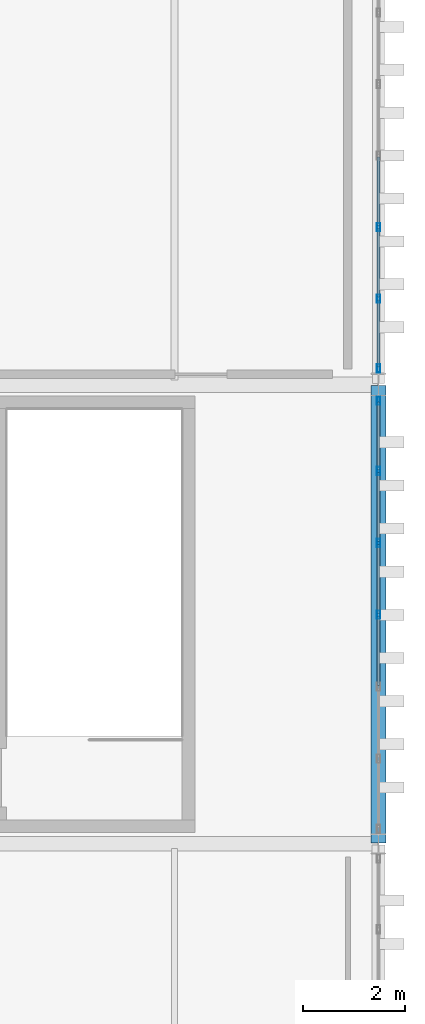
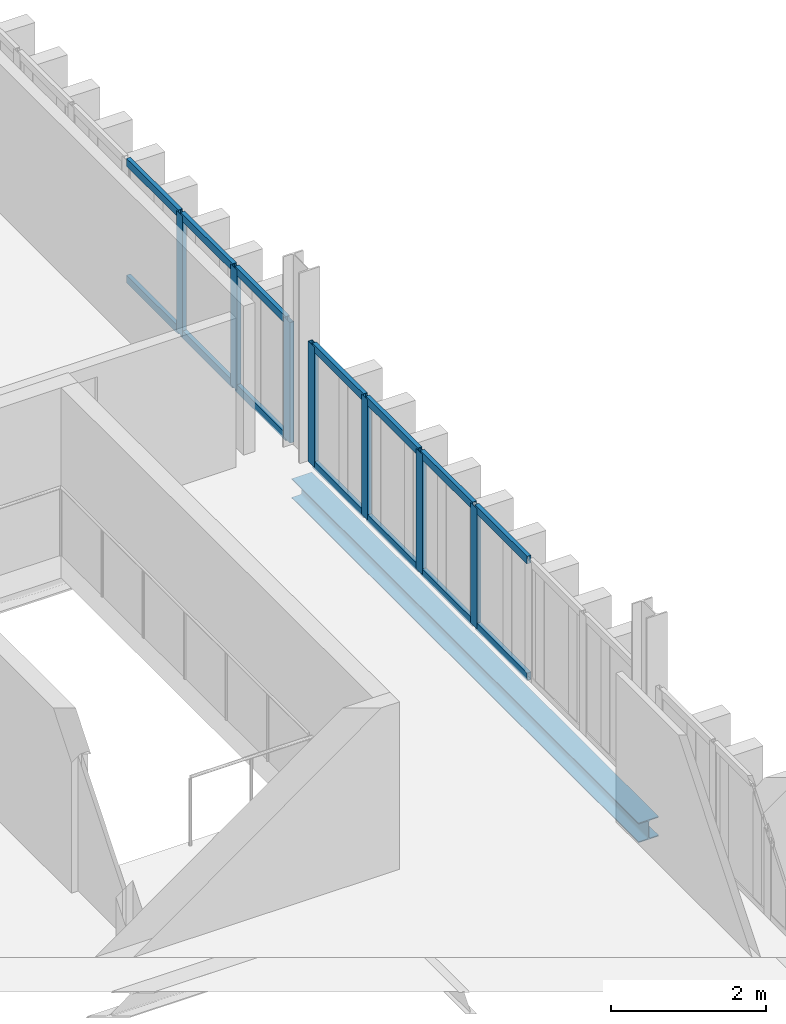
# One storey, part 45 of 58: 21 members, 1 beam, 2 elements without a shape of their own.
"""IFC4 building model written with IfcOpenShell, lengths in metres."""

from ifc_helpers import new_model, si_unit, direction, frame, origin, origin_2d, place, context, subcontext, project, spatial, hollow_rectangle, i_section, extrude, material, layer, layer_set, material_profile, profile_set, type_object, element, aggregate, save


model = new_model("IFC4")

# Units and contexts
model_context = context("Model", 3, precision=1e-05, world=origin(), true_north=direction((0.0, 1.0)))
body_context = subcontext(model_context, "Body", "Model", "MODEL_VIEW")
ifc_project = project(units=[si_unit("LENGTHUNIT", "METRE"), si_unit("AREAUNIT", "SQUARE_METRE"), si_unit("VOLUMEUNIT", "CUBIC_METRE"), si_unit("PLANEANGLEUNIT", "RADIAN"), si_unit("MASSUNIT", "GRAM", prefix="KILO")], contexts=[model_context])

# Site, building, storey
site_placement = place(None, origin())
site = spatial("IfcSite", under=ifc_project, at=site_placement, CompositionType="ELEMENT")
building_placement = place(site_placement, origin())
building = spatial("IfcBuilding", under=site, at=building_placement, Name="Barlavento Convention Centre", CompositionType="ELEMENT")
storey_placement = place(building_placement, frame((0.0, 0.0, 26.800048828125)))
storey = spatial("IfcBuildingStorey", under=building, at=storey_placement, Name="L05", CompositionType="ELEMENT", Elevation=26.800048828125)

# Curtain wall, members
ifc_material_1 = material(Name="Powder-coated aluminium and Low-E glass", Category="aluminium")
ifc_layer = layer(ifc_material_1, 0.18994140625)
ifc_layer_set = layer_set([ifc_layer], Name="ARC-CW-CONF-L05")
curtain_wall_type = type_object("IfcCurtainWallType", Name="ARC-CW-CONF-L05", PredefinedType="NOTDEFINED", material=ifc_layer_set)
curtain_wall_1_placement = place(storey_placement, origin())
curtain_wall_1 = element("IfcCurtainWall", 1, at=curtain_wall_1_placement, inside=storey, type_object=curtain_wall_type, Name="L05 unitised curtain wall CW10", PredefinedType="NOTDEFINED")
ifc_material_2 = material(Name="Powder-coated aluminium", Category="aluminium")
ifc_material_profile_1 = material_profile(ifc_material_2, hollow_rectangle(XDim=0.06005859375, YDim=0.159912109375, WallThickness=0.00390625, at=origin_2d()), Name="AL-MULL 60x160x4")
ifc_profile_set_1 = profile_set([ifc_material_profile_1], Name="Powder-coated aluminium")
member_type_1 = type_object("IfcMemberType", Name="ARC-CWM-60X160", PredefinedType="MULLION", material=ifc_profile_set_1)
member_1_placement = place(storey_placement, frame((192.0, 76.487548828125, 0.0), z_axis=(0.0, 0.0, 1.0), x_axis=(-1.0, 0.0, 0.0)))
member_1 = element("IfcMember", 2, at=member_1_placement, type_object=member_type_1, Name="CW10 mullion 4", PredefinedType="MULLION", context=body_context, shape_type="SweptSolid", body=[
    extrude(hollow_rectangle(XDim=0.06005859375, YDim=0.159912109375, WallThickness=0.00390625, at=origin_2d()), origin(), (0.0, 0.0, 1.0), 1.89990234375),
])
member_2_placement = place(storey_placement, frame((192.0, 77.896728515625, 0.0), z_axis=(0.0, 0.0, 1.0), x_axis=(-1.0, 0.0, 0.0)))
member_2 = element("IfcMember", 3, at=member_2_placement, type_object=member_type_1, Name="CW10 mullion 5", PredefinedType="MULLION", context=body_context, shape_type="SweptSolid", body=[
    extrude(hollow_rectangle(XDim=0.06005859375, YDim=0.159912109375, WallThickness=0.00390625, at=origin_2d()), origin(), (0.0, 0.0, 1.0), 1.89990234375),
])
member_3_placement = place(storey_placement, frame((192.0, 79.305908203125, 0.0), z_axis=(0.0, 0.0, 1.0), x_axis=(-1.0, 0.0, 0.0)))
member_3 = element("IfcMember", 4, at=member_3_placement, type_object=member_type_1, Name="CW10 mullion 6", PredefinedType="MULLION", context=body_context, shape_type="SweptSolid", body=[
    extrude(hollow_rectangle(XDim=0.06005859375, YDim=0.159912109375, WallThickness=0.00390625, at=origin_2d()), origin(), (0.0, 0.0, 1.0), 1.89990234375),
])
member_4_placement = place(storey_placement, frame((192.0, 80.68505859375, 0.0), z_axis=(0.0, 0.0, 1.0), x_axis=(-1.0, 0.0, 0.0)))
member_4 = element("IfcMember", 5, at=member_4_placement, type_object=member_type_1, Name="CW10 mullion 7", PredefinedType="MULLION", context=body_context, shape_type="SweptSolid", body=[
    extrude(hollow_rectangle(XDim=0.06005859375, YDim=0.159912109375, WallThickness=0.00390625, at=origin_2d()), origin(), (0.0, 0.0, 1.0), 1.89990234375),
])

curtain_wall_2_placement = place(storey_placement, origin())
curtain_wall_2 = element("IfcCurtainWall", 6, at=curtain_wall_2_placement, inside=storey, type_object=curtain_wall_type, Name="L05 unitised curtain wall CW10", PredefinedType="NOTDEFINED")
member_5_placement = place(storey_placement, frame((192.0, 81.31494140625, 0.0), z_axis=(0.0, 0.0, 1.0), x_axis=(-1.0, 0.0, 0.0)))
member_5 = element("IfcMember", 7, at=member_5_placement, type_object=member_type_1, Name="CW10 mullion 1", PredefinedType="MULLION", context=body_context, shape_type="SweptSolid", body=[
    extrude(hollow_rectangle(XDim=0.06005859375, YDim=0.159912109375, WallThickness=0.00390625, at=origin_2d()), origin(), (0.0, 0.0, 1.0), 1.89990234375),
])
member_6_placement = place(storey_placement, frame((192.0, 82.685791015625, 0.0), z_axis=(0.0, 0.0, 1.0), x_axis=(-1.0, 0.0, 0.0)))
member_6 = element("IfcMember", 8, at=member_6_placement, type_object=member_type_1, Name="CW10 mullion 2", PredefinedType="MULLION", context=body_context, shape_type="SweptSolid", body=[
    extrude(hollow_rectangle(XDim=0.06005859375, YDim=0.159912109375, WallThickness=0.00390625, at=origin_2d()), origin(), (0.0, 0.0, 1.0), 1.89990234375),
])
member_7_placement = place(storey_placement, frame((192.0, 84.086669921875, 0.0), z_axis=(0.0, 0.0, 1.0), x_axis=(-1.0, 0.0, 0.0)))
member_7 = element("IfcMember", 9, at=member_7_placement, type_object=member_type_1, Name="CW10 mullion 3", PredefinedType="MULLION", context=body_context, shape_type="SweptSolid", body=[
    extrude(hollow_rectangle(XDim=0.06005859375, YDim=0.159912109375, WallThickness=0.00390625, at=origin_2d()), origin(), (0.0, 0.0, 1.0), 1.89990234375),
])

# Member
ifc_material_profile_2 = material_profile(ifc_material_2, hollow_rectangle(XDim=0.06005859375, YDim=0.1201171875, WallThickness=0.00390625, at=origin_2d()), Name="AL-TRAN 60x120x4")
ifc_profile_set_2 = profile_set([ifc_material_profile_2], Name="Powder-coated aluminium")
member_type_2 = type_object("IfcMemberType", Name="ARC-CWT-60X120", PredefinedType="USERDEFINED", material=ifc_profile_set_2)
member_8_placement = place(storey_placement, frame((192.0, 75.1083984375, 0.030029296875), z_axis=(0.0, 1.0, 0.0), x_axis=(-1.0, 0.0, 0.0)))
member_8 = element("IfcMember", 10, at=member_8_placement, type_object=member_type_2, Name="CW10 transom 3.1", ObjectType="TRANSOM", PredefinedType="USERDEFINED", context=body_context, shape_type="SweptSolid", body=[
    extrude(hollow_rectangle(XDim=0.06005859375, YDim=0.1201171875, WallThickness=0.00390625, at=origin_2d()), origin(), (0.0, 0.0, 1.0), 1.34912109375),
])

member_9_placement = place(storey_placement, frame((192.0, 75.1083984375, 1.869873046875), z_axis=(0.0, 1.0, 0.0), x_axis=(-1.0, 0.0, 0.0)))
member_9 = element("IfcMember", 11, at=member_9_placement, type_object=member_type_2, Name="CW10 transom 3.2", ObjectType="TRANSOM", PredefinedType="USERDEFINED", context=body_context, shape_type="SweptSolid", body=[
    extrude(hollow_rectangle(XDim=0.06005859375, YDim=0.1201171875, WallThickness=0.00390625, at=origin_2d()), origin(), (0.0, 0.0, 1.0), 1.34912109375),
])

member_10_placement = place(storey_placement, frame((192.0, 76.517578125, 0.030029296875), z_axis=(0.0, 1.0, 0.0), x_axis=(-1.0, 0.0, 0.0)))
member_10 = element("IfcMember", 12, at=member_10_placement, type_object=member_type_2, Name="CW10 transom 4.1", ObjectType="TRANSOM", PredefinedType="USERDEFINED", context=body_context, shape_type="SweptSolid", body=[
    extrude(hollow_rectangle(XDim=0.06005859375, YDim=0.1201171875, WallThickness=0.00390625, at=origin_2d()), origin(), (0.0, 0.0, 1.0), 1.34912109375),
])

member_11_placement = place(storey_placement, frame((192.0, 76.517578125, 1.869873046875), z_axis=(0.0, 1.0, 0.0), x_axis=(-1.0, 0.0, 0.0)))
member_11 = element("IfcMember", 13, at=member_11_placement, type_object=member_type_2, Name="CW10 transom 4.2", ObjectType="TRANSOM", PredefinedType="USERDEFINED", context=body_context, shape_type="SweptSolid", body=[
    extrude(hollow_rectangle(XDim=0.06005859375, YDim=0.1201171875, WallThickness=0.00390625, at=origin_2d()), origin(), (0.0, 0.0, 1.0), 1.34912109375),
])

member_12_placement = place(storey_placement, frame((192.0, 77.9267578125, 0.030029296875), z_axis=(0.0, 1.0, 0.0), x_axis=(-1.0, 0.0, 0.0)))
member_12 = element("IfcMember", 14, at=member_12_placement, type_object=member_type_2, Name="CW10 transom 5.1", ObjectType="TRANSOM", PredefinedType="USERDEFINED", context=body_context, shape_type="SweptSolid", body=[
    extrude(hollow_rectangle(XDim=0.06005859375, YDim=0.1201171875, WallThickness=0.00390625, at=origin_2d()), origin(), (0.0, 0.0, 1.0), 1.34912109375),
])

member_13_placement = place(storey_placement, frame((192.0, 77.9267578125, 1.869873046875), z_axis=(0.0, 1.0, 0.0), x_axis=(-1.0, 0.0, 0.0)))
member_13 = element("IfcMember", 15, at=member_13_placement, type_object=member_type_2, Name="CW10 transom 5.2", ObjectType="TRANSOM", PredefinedType="USERDEFINED", context=body_context, shape_type="SweptSolid", body=[
    extrude(hollow_rectangle(XDim=0.06005859375, YDim=0.1201171875, WallThickness=0.00390625, at=origin_2d()), origin(), (0.0, 0.0, 1.0), 1.34912109375),
])

member_14_placement = place(storey_placement, frame((192.0, 79.3359375, 0.030029296875), z_axis=(0.0, 1.0, 0.0), x_axis=(-1.0, 0.0, 0.0)))
member_14 = element("IfcMember", 16, at=member_14_placement, type_object=member_type_2, Name="CW10 transom 6.1", ObjectType="TRANSOM", PredefinedType="USERDEFINED", context=body_context, shape_type="SweptSolid", body=[
    extrude(hollow_rectangle(XDim=0.06005859375, YDim=0.1201171875, WallThickness=0.00390625, at=origin_2d()), origin(), (0.0, 0.0, 1.0), 1.319091796875),
])

member_15_placement = place(storey_placement, frame((192.0, 79.3359375, 1.869873046875), z_axis=(0.0, 1.0, 0.0), x_axis=(-1.0, 0.0, 0.0)))
member_15 = element("IfcMember", 17, at=member_15_placement, type_object=member_type_2, Name="CW10 transom 6.2", ObjectType="TRANSOM", PredefinedType="USERDEFINED", context=body_context, shape_type="SweptSolid", body=[
    extrude(hollow_rectangle(XDim=0.06005859375, YDim=0.1201171875, WallThickness=0.00390625, at=origin_2d()), origin(), (0.0, 0.0, 1.0), 1.319091796875),
])

aggregate(curtain_wall_1, [member_1, member_2, member_3, member_4, member_8, member_9, member_10, member_11, member_12, member_13, member_14, member_15])

member_16_placement = place(storey_placement, frame((192.0, 81.344970703125, 0.030029296875), z_axis=(0.0, 1.0, 0.0), x_axis=(-1.0, 0.0, 0.0)))
member_16 = element("IfcMember", 18, at=member_16_placement, type_object=member_type_2, Name="CW10 transom 1.1", ObjectType="TRANSOM", PredefinedType="USERDEFINED", context=body_context, shape_type="SweptSolid", body=[
    extrude(hollow_rectangle(XDim=0.06005859375, YDim=0.1201171875, WallThickness=0.00390625, at=origin_2d()), origin(), (0.0, 0.0, 1.0), 1.310791015625),
])

member_17_placement = place(storey_placement, frame((192.0, 81.344970703125, 1.869873046875), z_axis=(0.0, 1.0, 0.0), x_axis=(-1.0, 0.0, 0.0)))
member_17 = element("IfcMember", 19, at=member_17_placement, type_object=member_type_2, Name="CW10 transom 1.2", ObjectType="TRANSOM", PredefinedType="USERDEFINED", context=body_context, shape_type="SweptSolid", body=[
    extrude(hollow_rectangle(XDim=0.06005859375, YDim=0.1201171875, WallThickness=0.00390625, at=origin_2d()), origin(), (0.0, 0.0, 1.0), 1.310791015625),
])

member_18_placement = place(storey_placement, frame((192.0, 82.7158203125, 0.030029296875), z_axis=(0.0, 1.0, 0.0), x_axis=(-1.0, 0.0, 0.0)))
member_18 = element("IfcMember", 20, at=member_18_placement, type_object=member_type_2, Name="CW10 transom 2.1", ObjectType="TRANSOM", PredefinedType="USERDEFINED", context=body_context, shape_type="SweptSolid", body=[
    extrude(hollow_rectangle(XDim=0.06005859375, YDim=0.1201171875, WallThickness=0.00390625, at=origin_2d()), origin(), (0.0, 0.0, 1.0), 1.3408203125),
])

member_19_placement = place(storey_placement, frame((192.0, 82.7158203125, 1.869873046875), z_axis=(0.0, 1.0, 0.0), x_axis=(-1.0, 0.0, 0.0)))
member_19 = element("IfcMember", 21, at=member_19_placement, type_object=member_type_2, Name="CW10 transom 2.2", ObjectType="TRANSOM", PredefinedType="USERDEFINED", context=body_context, shape_type="SweptSolid", body=[
    extrude(hollow_rectangle(XDim=0.06005859375, YDim=0.1201171875, WallThickness=0.00390625, at=origin_2d()), origin(), (0.0, 0.0, 1.0), 1.3408203125),
])

member_20_placement = place(storey_placement, frame((192.0, 84.11669921875, 0.030029296875), z_axis=(0.0, 1.0, 0.0), x_axis=(-1.0, 0.0, 0.0)))
member_20 = element("IfcMember", 22, at=member_20_placement, type_object=member_type_2, Name="CW10 transom 3.1", ObjectType="TRANSOM", PredefinedType="USERDEFINED", context=body_context, shape_type="SweptSolid", body=[
    extrude(hollow_rectangle(XDim=0.06005859375, YDim=0.1201171875, WallThickness=0.00390625, at=origin_2d()), origin(), (0.0, 0.0, 1.0), 1.3408203125),
])

member_21_placement = place(storey_placement, frame((192.0, 84.11669921875, 1.869873046875), z_axis=(0.0, 1.0, 0.0), x_axis=(-1.0, 0.0, 0.0)))
member_21 = element("IfcMember", 23, at=member_21_placement, type_object=member_type_2, Name="CW10 transom 3.2", ObjectType="TRANSOM", PredefinedType="USERDEFINED", context=body_context, shape_type="SweptSolid", body=[
    extrude(hollow_rectangle(XDim=0.06005859375, YDim=0.1201171875, WallThickness=0.00390625, at=origin_2d()), origin(), (0.0, 0.0, 1.0), 1.3408203125),
])

aggregate(curtain_wall_2, [member_5, member_6, member_7, member_16, member_17, member_18, member_19, member_20, member_21])

# Beam
ifc_material_3 = material(Name="Steel S355", Category="steel")
ifc_material_profile_3 = material_profile(ifc_material_3, i_section(OverallWidth=0.300048828125, OverallDepth=0.31005859375, WebThickness=0.009033203125, FlangeThickness=0.015380859375, FilletRadius=0.027099609375, at=origin_2d()), Name="HEA 320")
ifc_profile_set_3 = profile_set([ifc_material_profile_3], Name="Steel S355")
beam_type = type_object("IfcBeamType", Name="STR-BM-SPN-HEA320", PredefinedType="SPANDREL", material=ifc_profile_set_3)
beam_placement = place(storey_placement, frame((192.0, 72.02001953125, -0.51513671875), z_axis=(0.0, 1.0, 0.0), x_axis=(-1.0, 0.0, 0.0)))
element("IfcBeam", 24, at=beam_placement, inside=storey, type_object=beam_type, Name="L05 grid girder SP01", PredefinedType="SPANDREL", context=body_context, shape_type="SweptSolid", body=[
    extrude(i_section(OverallWidth=0.300048828125, OverallDepth=0.31005859375, WebThickness=0.009033203125, FlangeThickness=0.015380859375, FilletRadius=0.027099609375, at=origin_2d()), origin(), (0.0, 0.0, 1.0), 8.9599609375),
])

save(model, "model.ifc")
